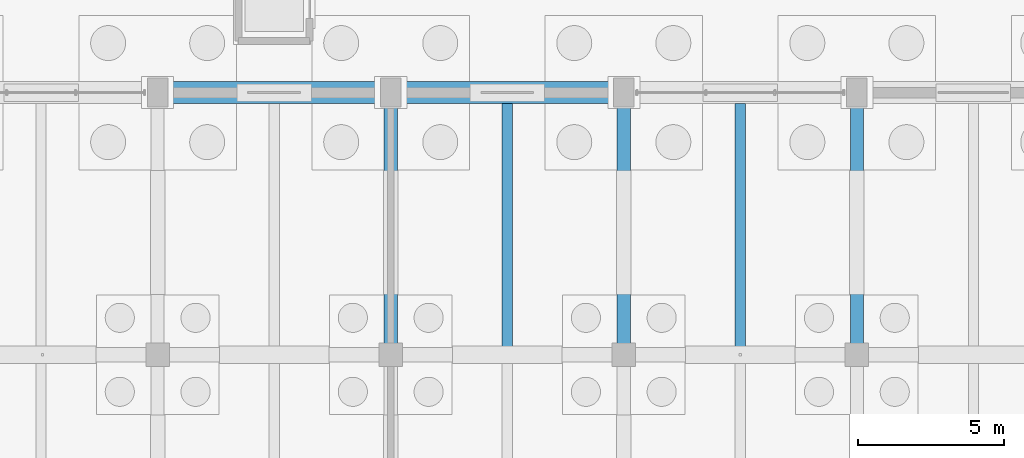
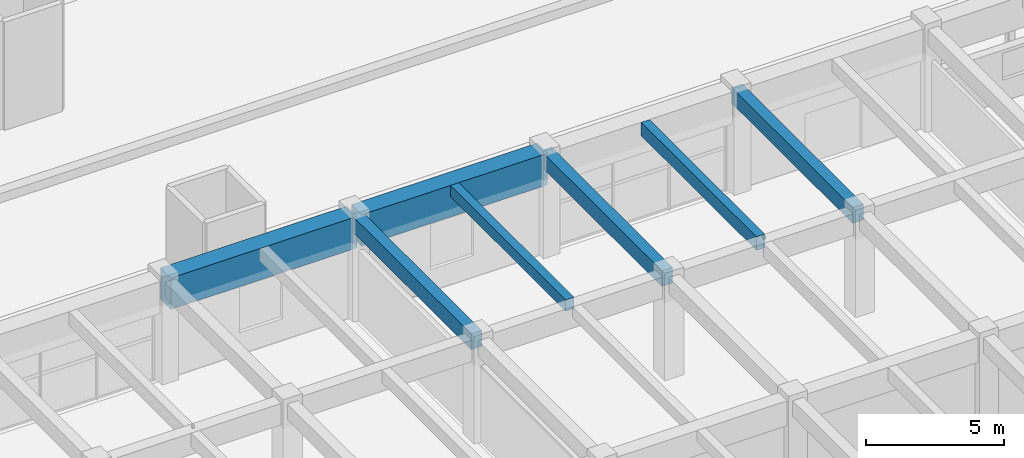
# One storey, part 41 of 147: 7 beams.
"""IFC4 building model written with IfcOpenShell, lengths in metres."""

from ifc_helpers import new_model, si_unit, direction, frame, origin, origin_2d, place, context, subcontext, project, spatial, rectangle, extrude, material, material_profile, profile_set, type_object, element, save


model = new_model("IFC4")

# Units and contexts
model_context = context("Model", 3, precision=1e-05, world=origin(), true_north=direction((0.0, 1.0)))
body_context = subcontext(model_context, "Body", "Model", "MODEL_VIEW")
ifc_project = project(units=[si_unit("LENGTHUNIT", "METRE"), si_unit("AREAUNIT", "SQUARE_METRE"), si_unit("VOLUMEUNIT", "CUBIC_METRE"), si_unit("PLANEANGLEUNIT", "RADIAN"), si_unit("MASSUNIT", "GRAM", prefix="KILO")], contexts=[model_context])

# Site, building, storey
site_placement = place(None, origin())
site = spatial("IfcSite", under=ifc_project, at=site_placement, CompositionType="ELEMENT")
building_placement = place(site_placement, origin())
building = spatial("IfcBuilding", under=site, at=building_placement, Name="Varnabhumi Central Station", CompositionType="ELEMENT")
storey_placement = place(building_placement, origin())
storey = spatial("IfcBuildingStorey", under=building, at=storey_placement, Name="L00", CompositionType="ELEMENT", Elevation=0.0)

# Beams
ifc_material_1 = material(Name="Concrete M50", Category="concrete")
ifc_material_profile_1 = material_profile(ifc_material_1, rectangle(XDim=0.75, YDim=1.39990234375, at=origin_2d()), Name="Concrete M50", Category="concrete")
ifc_profile_set_1 = profile_set([ifc_material_profile_1], Name="Concrete M50")
beam_type_1 = type_object("IfcBeamType", Name="BM-RC-1400x750", PredefinedType="BEAM", material=ifc_profile_set_1)
for number, where, z_axis, x_axis, name in (
    (1, (80.10009765625, 36.0, 3.85009765625), (1.0, 0.0, 0.0), (0.0, 1.0, 0.0), "Beam L00-E:11-12"),
    (2, (88.10009765625, 36.0, 3.85009765625), (1.0, 0.0, 0.0), (0.0, 1.0, 0.0), "Beam L00-E:12-13"),
):
    element("IfcBeam", number, at=place(storey_placement, frame(where, z_axis=z_axis, x_axis=x_axis)), inside=storey, type_object=beam_type_1, Name=name, PredefinedType="BEAM", context=body_context, shape_type="SweptSolid", body=[
        extrude(rectangle(XDim=0.75, YDim=1.39990234375, at=origin_2d()), origin(), (0.0, 0.0, 1.0), 7.7998046875),
    ])
ifc_material_2 = material(Name="Concrete M40", Category="concrete")
ifc_material_profile_2 = material_profile(ifc_material_2, rectangle(XDim=0.35009765625, YDim=0.5, at=origin_2d()), Name="Concrete M40", Category="concrete")
ifc_profile_set_2 = profile_set([ifc_material_profile_2], Name="Concrete M40")
beam_type_2 = type_object("IfcBeamType", Name="BM-RC-350x500", PredefinedType="JOIST", material=ifc_profile_set_2)
beam_1_placement = place(storey_placement, frame((92.0, 27.25, 4.300048828125), z_axis=(0.0, 1.0, 0.0), x_axis=(-1.0, 0.0, 0.0)))
element("IfcBeam", 3, at=beam_1_placement, inside=storey, type_object=beam_type_2, Name="Secondary Joist L00-12/13:D-E", PredefinedType="JOIST", context=body_context, shape_type="SweptSolid", body=[
    extrude(rectangle(XDim=0.35009765625, YDim=0.5, at=origin_2d()), origin(), (0.0, 0.0, 1.0), 8.375),
])
ifc_material_profile_3 = material_profile(ifc_material_2, rectangle(XDim=0.449951171875, YDim=0.699951171875, at=origin_2d()), Name="Concrete M40", Category="concrete")
ifc_profile_set_3 = profile_set([ifc_material_profile_3], Name="Concrete M40")
beam_type_3 = type_object("IfcBeamType", Name="BM-RC-450x700", PredefinedType="BEAM", material=ifc_profile_set_3)
for number, where, z_axis, x_axis, name in (
    (4, (88.0, 27.10009765625, 4.199951171875), (0.0, 1.0, 0.0), (-1.0, 0.0, 0.0), "Beam L00-12:D-E"),
    (5, (96.0, 27.10009765625, 4.199951171875), (0.0, 1.0, 0.0), (-1.0, 0.0, 0.0), "Beam L00-13:D-E"),
    (6, (104.0, 27.10009765625, 4.199951171875), (0.0, 1.0, 0.0), (-1.0, 0.0, 0.0), "Beam L00-14:D-E"),
):
    element("IfcBeam", number, at=place(storey_placement, frame(where, z_axis=z_axis, x_axis=x_axis)), inside=storey, type_object=beam_type_3, Name=name, PredefinedType="BEAM", context=body_context, shape_type="SweptSolid", body=[
        extrude(rectangle(XDim=0.449951171875, YDim=0.699951171875, at=origin_2d()), origin(), (0.0, 0.0, 1.0), 8.7998046875),
    ])
ifc_material_profile_4 = material_profile(ifc_material_2, rectangle(XDim=0.35009765625, YDim=0.60009765625, at=origin_2d()), Name="Concrete M40", Category="concrete")
ifc_profile_set_4 = profile_set([ifc_material_profile_4], Name="Concrete M40")
beam_type_4 = type_object("IfcBeamType", Name="BM-RC-600x350", PredefinedType="JOIST", material=ifc_profile_set_4)
beam_2_placement = place(storey_placement, frame((100.0, 27.25, 4.25), z_axis=(0.0, 1.0, 0.0), x_axis=(-1.0, 0.0, 0.0)))
element("IfcBeam", 7, at=beam_2_placement, inside=storey, type_object=beam_type_4, Name="Secondary Joist L00-13/14:D-E", PredefinedType="JOIST", context=body_context, shape_type="SweptSolid", body=[
    extrude(rectangle(XDim=0.35009765625, YDim=0.60009765625, at=origin_2d()), origin(), (0.0, 0.0, 1.0), 8.375),
])

save(model, "model.ifc")
